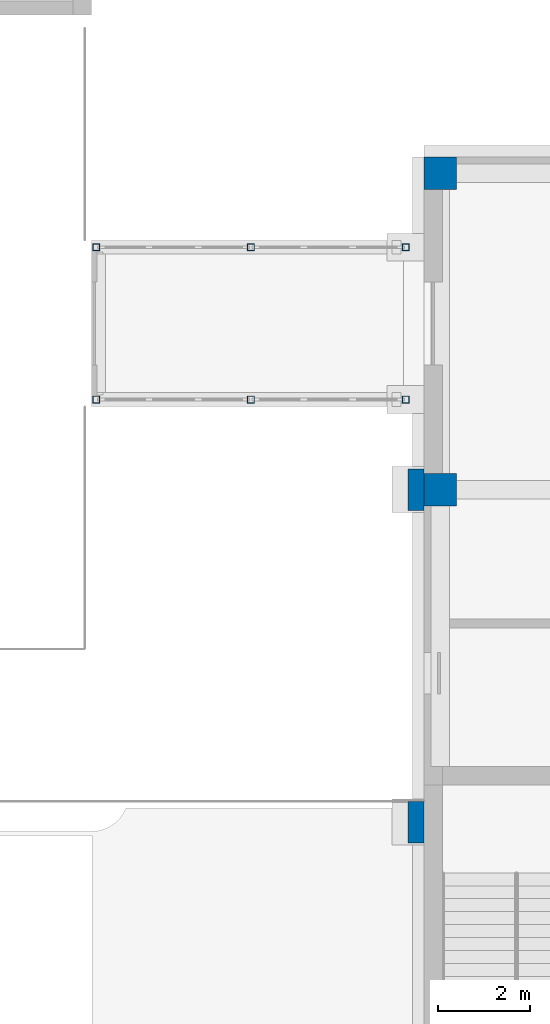
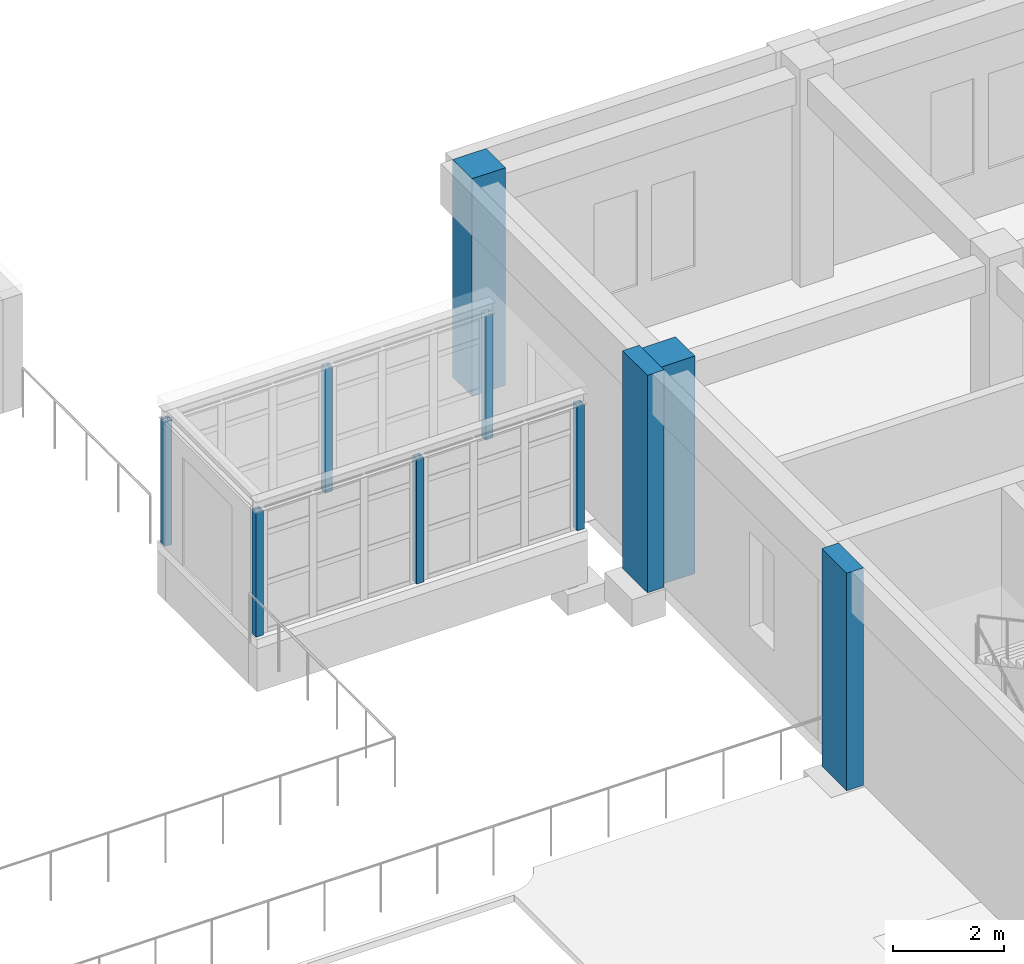
# One storey, part 22 of 131: 10 columns.
"""IFC4 building model written with IfcOpenShell, lengths in metres."""

from ifc_helpers import new_model, si_unit, direction, frame, origin, origin_2d, place, context, subcontext, project, spatial, rectangle, hollow_rectangle, extrude, material, material_profile, profile_set, type_object, element, save


model = new_model("IFC4")

# Units and contexts
model_context = context("Model", 3, precision=1e-05, world=origin(), true_north=direction((0.0, 1.0)))
body_context = subcontext(model_context, "Body", "Model", "MODEL_VIEW")
ifc_project = project(units=[si_unit("LENGTHUNIT", "METRE"), si_unit("AREAUNIT", "SQUARE_METRE"), si_unit("VOLUMEUNIT", "CUBIC_METRE"), si_unit("PLANEANGLEUNIT", "RADIAN"), si_unit("MASSUNIT", "GRAM", prefix="KILO")], contexts=[model_context])

# Site, building, storey
site_placement = place(None, origin())
site = spatial("IfcSite", under=ifc_project, at=site_placement, CompositionType="ELEMENT")
building_placement = place(site_placement, origin())
building = spatial("IfcBuilding", under=site, at=building_placement, Name="Alderwick Market Hall", CompositionType="ELEMENT")
storey_placement = place(building_placement, frame((0.0, 0.0, 4.800048828125)))
storey = spatial("IfcBuildingStorey", under=building, at=storey_placement, Name="L00", CompositionType="ELEMENT", Elevation=4.800048828125)

# Columns
ifc_material_1 = material(Name="Concrete 5000 psi (f'c 35 MPa)", Category="concrete")
ifc_material_profile_1 = material_profile(ifc_material_1, rectangle(XDim=0.699951171875, YDim=0.699951171875, at=origin_2d()), Name="RC 700x700")
ifc_profile_set_1 = profile_set([ifc_material_profile_1], Name="Concrete 5000 psi (f'c 35 MPa)")
column_type_1 = type_object("IfcColumnType", Name="C Column RC 700x700", PredefinedType="COLUMN", material=ifc_profile_set_1)
for number, where, z_axis, x_axis, name in (
    (1, (158.75, 28.449951171875, 0.0), (0.0, 0.0, 1.0), (1.0, 0.0, 0.0), "C.col.L00.01"),
    (2, (158.75, 21.60009765625, 0.0), (0.0, 0.0, 1.0), (1.0, 0.0, 0.0), "C.col.L00.12"),
):
    element("IfcColumn", number, at=place(storey_placement, frame(where, z_axis=z_axis, x_axis=x_axis)), inside=storey, type_object=column_type_1, Name=name, PredefinedType="COLUMN", context=body_context, shape_type="SweptSolid", body=[
        extrude(rectangle(XDim=0.699951171875, YDim=0.699951171875, at=origin_2d()), origin(), (0.0, 0.0, 1.0), 4.800048828125),
    ])
ifc_material_profile_2 = material_profile(ifc_material_1, rectangle(XDim=0.89990234375, YDim=0.35009765625, at=origin_2d()), Name="PC 900x350")
ifc_profile_set_2 = profile_set([ifc_material_profile_2], Name="Concrete 5000 psi (f'c 35 MPa)")
column_type_2 = type_object("IfcColumnType", Name="C Pilaster Precast Concrete 900x350", PredefinedType="PILASTER", material=ifc_profile_set_2)
for number, where, z_axis, x_axis, name in (
    (3, (158.22509765625, 21.60009765625, 0.0), (0.0, 0.0, 1.0), (0.0, 1.0, 0.0), "C.pilaster.L00.035"),
    (4, (158.22509765625, 14.39990234375, 0.0), (0.0, 0.0, 1.0), (0.0, 1.0, 0.0), "C.pilaster.L00.038"),
):
    element("IfcColumn", number, at=place(storey_placement, frame(where, z_axis=z_axis, x_axis=x_axis)), inside=storey, type_object=column_type_2, Name=name, PredefinedType="PILASTER", context=body_context, shape_type="SweptSolid", body=[
        extrude(rectangle(XDim=0.89990234375, YDim=0.35009765625, at=origin_2d()), origin(), (0.0, 0.0, 1.0), 4.800048828125),
    ])
ifc_material_2 = material(Name="Steel ASTM A500 Grade C", Category="steel")
ifc_material_profile_3 = material_profile(ifc_material_2, hollow_rectangle(XDim=0.152099609375, YDim=0.152099609375, WallThickness=0.009521484375, at=origin_2d()), Name="HSS152x152x9.5")
ifc_profile_set_3 = profile_set([ifc_material_profile_3], Name="Steel ASTM A500 Grade C")
column_type_3 = type_object("IfcColumnType", Name="P HSS Column 152x152x9.5", PredefinedType="COLUMN", material=ifc_profile_set_3)
for number, where, z_axis, x_axis, name in (
    (5, (151.300048828125, 23.550048828125, 0.0), (0.0, 0.0, 1.0), (1.0, 0.0, 0.0), "P.P10.col.a0"),
    (6, (154.64990234375, 23.550048828125, 0.0), (0.0, 0.0, 1.0), (1.0, 0.0, 0.0), "P.P10.col.a1"),
    (7, (158.0, 23.550048828125, 0.0), (0.0, 0.0, 1.0), (1.0, 0.0, 0.0), "P.P10.col.a2"),
    (8, (151.300048828125, 26.85009765625, 0.0), (0.0, 0.0, 1.0), (1.0, 0.0, 0.0), "P.P10.col.b0"),
    (9, (154.64990234375, 26.85009765625, 0.0), (0.0, 0.0, 1.0), (1.0, 0.0, 0.0), "P.P10.col.b1"),
    (10, (158.0, 26.85009765625, 0.0), (0.0, 0.0, 1.0), (1.0, 0.0, 0.0), "P.P10.col.b2"),
):
    element("IfcColumn", number, at=place(storey_placement, frame(where, z_axis=z_axis, x_axis=x_axis)), inside=storey, type_object=column_type_3, Name=name, PredefinedType="COLUMN", context=body_context, shape_type="SweptSolid", body=[
        extrude(hollow_rectangle(XDim=0.152099609375, YDim=0.152099609375, WallThickness=0.009521484375, at=origin_2d()), origin(), (0.0, 0.0, 1.0), 2.7529296875),
    ])

save(model, "model.ifc")
